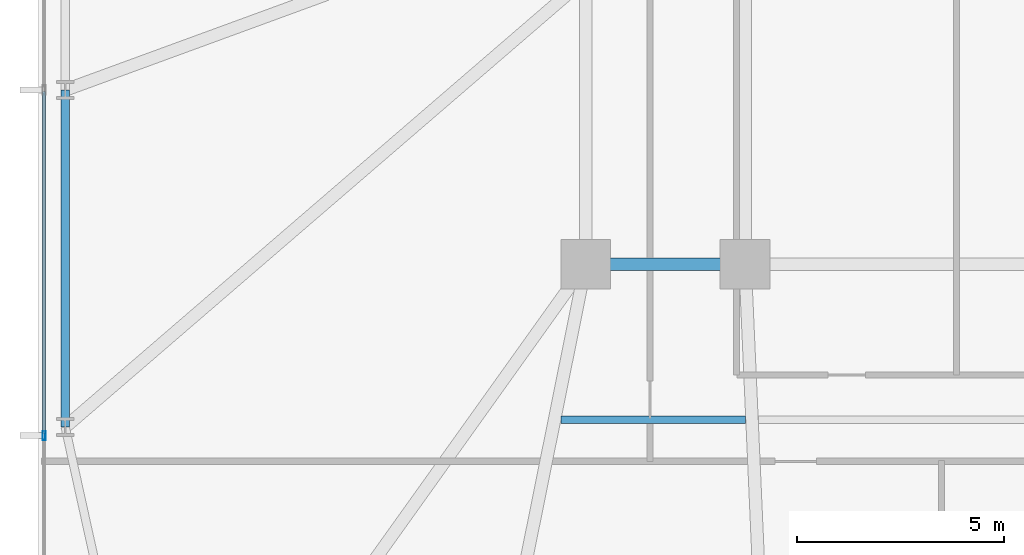
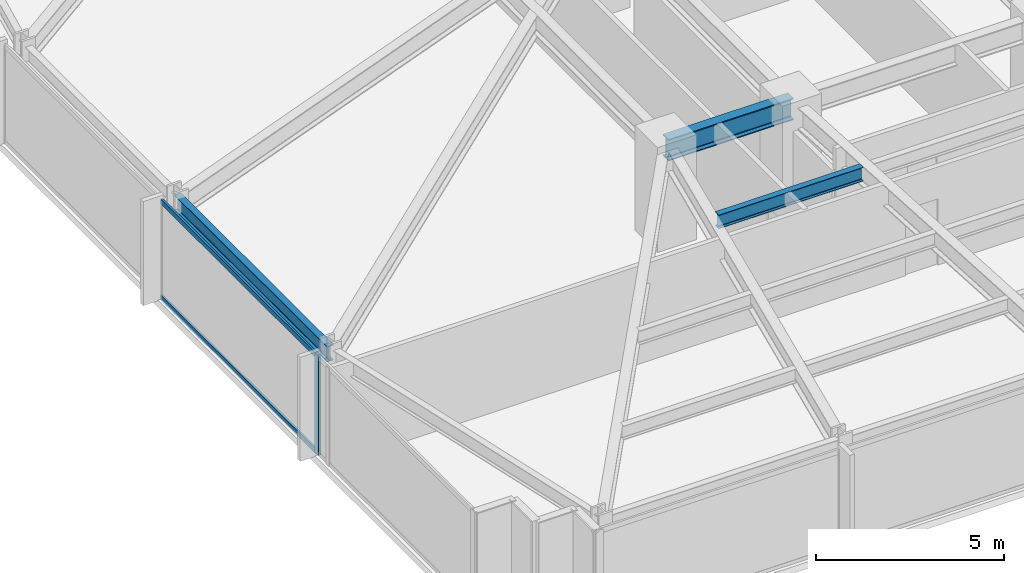
# One storey, part 4 of 33: 3 beams, 3 members, 1 element without a shape of its own.
"""IFC4 building model written with IfcOpenShell, lengths in metres."""

from ifc_helpers import new_model, si_unit, direction, frame, origin, origin_2d, place, context, subcontext, project, spatial, hollow_rectangle, i_section, extrude, material, material_profile, profile_set, type_object, element, aggregate, save


model = new_model("IFC4")

# Units and contexts
model_context = context("Model", 3, precision=1e-05, world=origin(), true_north=direction((0.0, 1.0)))
body_context = subcontext(model_context, "Body", "Model", "MODEL_VIEW")
ifc_project = project(units=[si_unit("LENGTHUNIT", "METRE"), si_unit("AREAUNIT", "SQUARE_METRE"), si_unit("VOLUMEUNIT", "CUBIC_METRE"), si_unit("PLANEANGLEUNIT", "RADIAN"), si_unit("MASSUNIT", "GRAM", prefix="KILO")], contexts=[model_context])

# Site, building, storey
site_placement = place(None, origin())
site = spatial("IfcSite", under=ifc_project, at=site_placement, CompositionType="ELEMENT")
building_placement = place(site_placement, origin())
building = spatial("IfcBuilding", under=site, at=building_placement, Name="Yelkora Congress Tower", CompositionType="ELEMENT")
storey_placement = place(building_placement, frame((0.0, 0.0, 71.199951171875)))
storey = spatial("IfcBuildingStorey", under=building, at=storey_placement, Name="L18", CompositionType="ELEMENT", Elevation=71.199951171875)

# Beams
ifc_material_1 = material(Name="Steel S355J2", Category="steel")
ifc_material_profile_1 = material_profile(ifc_material_1, i_section(OverallWidth=0.300048828125, OverallDepth=0.699951171875, WebThickness=0.01708984375, FlangeThickness=0.031982421875, FilletRadius=0.027099609375, at=origin_2d()), Name="HEB 700")
ifc_profile_set_1 = profile_set([ifc_material_profile_1], Name="Steel S355J2")
beam_type_1 = type_object("IfcBeamType", Name="BM-GIRD-HEB700", PredefinedType="BEAM", material=ifc_profile_set_1)
beam_1_placement = place(storey_placement, frame((19.199951171875, 25.199951171875, 2.830078125), z_axis=(1.0, 0.0, 0.0), x_axis=(0.0, 1.0, 0.0)))
element("IfcBeam", 1, at=beam_1_placement, inside=storey, type_object=beam_type_1, Name="L18 Spine Grid D Girder 1", PredefinedType="BEAM", context=body_context, shape_type="SweptSolid", body=[
    extrude(i_section(OverallWidth=0.300048828125, OverallDepth=0.699951171875, WebThickness=0.01708984375, FlangeThickness=0.031982421875, FilletRadius=0.027099609375, at=origin_2d()), origin(), (0.0, 0.0, 1.0), 3.840087890625),
])
ifc_material_profile_2 = material_profile(ifc_material_1, i_section(OverallWidth=0.18994140625, OverallDepth=0.449951171875, WebThickness=0.009521484375, FlangeThickness=0.0146484375, FilletRadius=0.02099609375, at=origin_2d()), Name="IPE 450")
ifc_profile_set_2 = profile_set([ifc_material_profile_2], Name="Steel S355J2")
beam_type_2 = type_object("IfcBeamType", Name="BM-JOIST-IPE450", PredefinedType="JOIST", material=ifc_profile_set_2)
beam_2_placement = place(storey_placement, frame((18.60546875, 21.449951171875, 2.955078125), z_axis=(1.0, 0.0, 0.0), x_axis=(0.0, 1.0, 0.0)))
element("IfcBeam", 2, at=beam_2_placement, inside=storey, type_object=beam_type_2, Name="L18 Composite Floor Joist 17", PredefinedType="JOIST", context=body_context, shape_type="SweptSolid", body=[
    extrude(i_section(OverallWidth=0.18994140625, OverallDepth=0.449951171875, WebThickness=0.009521484375, FlangeThickness=0.0146484375, FilletRadius=0.02099609375, at=origin_2d()), origin(), (0.0, 0.0, 1.0), 4.4404296875),
])
ifc_material_profile_3 = material_profile(ifc_material_1, i_section(OverallWidth=0.199951171875, OverallDepth=0.5, WebThickness=0.01025390625, FlangeThickness=0.01611328125, FilletRadius=0.02099609375, at=origin_2d()), Name="IPE 500")
ifc_profile_set_3 = profile_set([ifc_material_profile_3], Name="Steel S355J2")
beam_type_3 = type_object("IfcBeamType", Name="BM-SPAN-IPE500", PredefinedType="SPANDREL", material=ifc_profile_set_3)
beam_3_placement = place(storey_placement, frame((6.64990234375, 29.39990234375, 2.929931640625), z_axis=(0.0, -1.0, 0.0), x_axis=(1.0, 0.0, 0.0)))
element("IfcBeam", 3, at=beam_3_placement, inside=storey, type_object=beam_type_3, Name="L18 Perimeter Beam 19", PredefinedType="SPANDREL", context=body_context, shape_type="SweptSolid", body=[
    extrude(i_section(OverallWidth=0.199951171875, OverallDepth=0.5, WebThickness=0.01025390625, FlangeThickness=0.01611328125, FilletRadius=0.02099609375, at=origin_2d()), origin(), (0.0, 0.0, 1.0), 8.125),
])

# Curtain wall, members
ifc_material_2 = material(Name="Anodised aluminium and insulated glass", Category="aluminium")
curtain_wall_type = type_object("IfcCurtainWallType", Name="CW-SYS-B1", PredefinedType="NOTDEFINED", material=ifc_material_2)
curtain_wall_placement = place(storey_placement, origin())
curtain_wall = element("IfcCurtainWall", 4, at=curtain_wall_placement, inside=storey, type_object=curtain_wall_type, Name="L18 Unitised Curtain Wall 5", PredefinedType="NOTDEFINED")
ifc_material_3 = material(Name="Anodised aluminium 6063-T6", Category="aluminium")
ifc_material_profile_4 = material_profile(ifc_material_3, hollow_rectangle(XDim=0.074951171875, YDim=0.219970703125, WallThickness=0.0048828125, at=origin_2d()), Name="ALU 75x220x5")
ifc_profile_set_4 = profile_set([ifc_material_profile_4], Name="Anodised aluminium 6063-T6")
member_type_1 = type_object("IfcMemberType", Name="MEM-ML-B1", PredefinedType="MULLION", material=ifc_profile_set_4)
member_1_placement = place(storey_placement, frame((6.139892578125, 21.070068359375, 0.0), z_axis=(0.0, 0.0, 1.0), x_axis=(-1.0, 0.0, 0.0)))
member_1 = element("IfcMember", 5, at=member_1_placement, type_object=member_type_1, Name="CW-B1 mullion 2", PredefinedType="MULLION", context=body_context, shape_type="SweptSolid", body=[
    extrude(hollow_rectangle(XDim=0.074951171875, YDim=0.219970703125, WallThickness=0.0048828125, at=origin_2d()), origin(), (0.0, 0.0, 1.0), 3.179931640625),
])
ifc_material_profile_5 = material_profile(ifc_material_3, hollow_rectangle(XDim=0.06494140625, YDim=0.159912109375, WallThickness=0.00390625, at=origin_2d()), Name="ALU 65x160x4")
ifc_profile_set_5 = profile_set([ifc_material_profile_5], Name="Anodised aluminium 6063-T6")
member_type_2 = type_object("IfcMemberType", Name="MEM-TR-B1", PredefinedType="USERDEFINED", material=ifc_profile_set_5)
member_2_placement = place(storey_placement, frame((6.139892578125, 21.107421875, 0.032470703125), z_axis=(0.0, 1.0, 0.0), x_axis=(-1.0, 0.0, 0.0)))
member_2 = element("IfcMember", 6, at=member_2_placement, type_object=member_type_2, Name="CW-B1 transom 2.1", ObjectType="TRANSOM", PredefinedType="USERDEFINED", context=body_context, shape_type="SweptSolid", body=[
    extrude(hollow_rectangle(XDim=0.06494140625, YDim=0.159912109375, WallThickness=0.00390625, at=origin_2d()), origin(), (0.0, 0.0, 1.0), 8.255126953125),
])
member_3_placement = place(storey_placement, frame((6.139892578125, 21.107421875, 3.1474609375), z_axis=(0.0, 1.0, 0.0), x_axis=(-1.0, 0.0, 0.0)))
member_3 = element("IfcMember", 7, at=member_3_placement, type_object=member_type_2, Name="CW-B1 transom 2.2", ObjectType="TRANSOM", PredefinedType="USERDEFINED", context=body_context, shape_type="SweptSolid", body=[
    extrude(hollow_rectangle(XDim=0.06494140625, YDim=0.159912109375, WallThickness=0.00390625, at=origin_2d()), origin(), (0.0, 0.0, 1.0), 8.255126953125),
])
aggregate(curtain_wall, [member_1, member_2, member_3])

save(model, "model.ifc")
